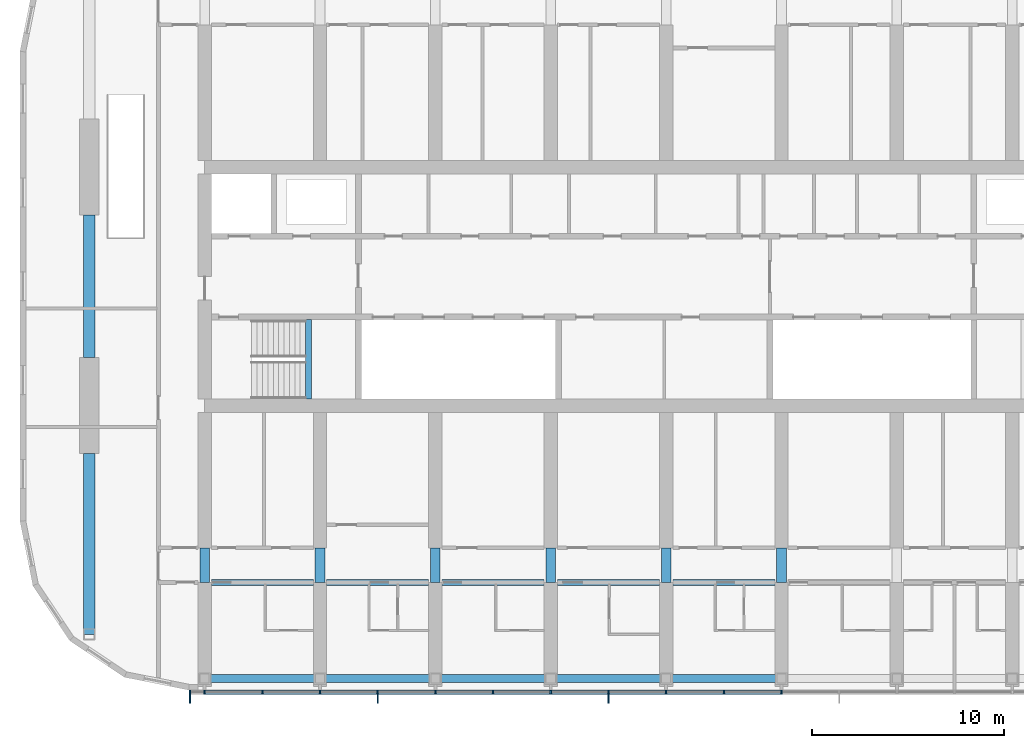
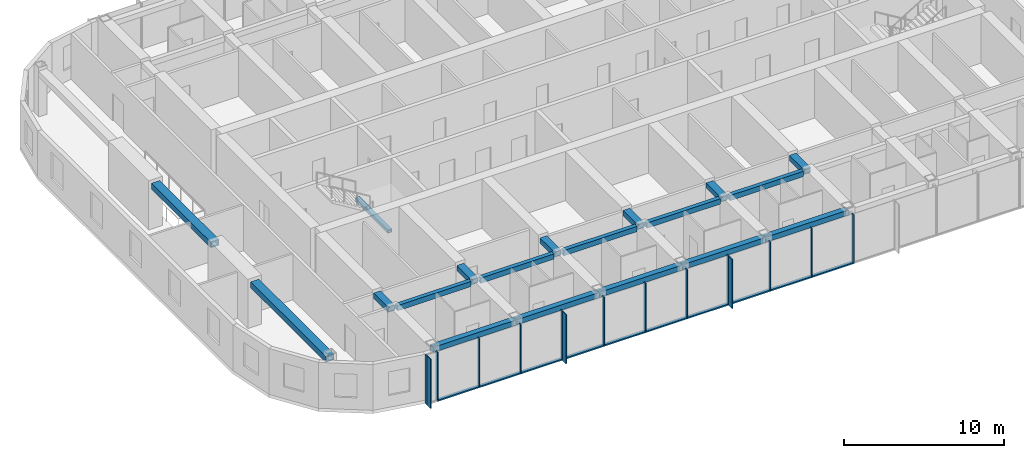
# One storey, part 2 of 23: 25 members, 19 beams, 1 element without a shape of its own.
"""IFC4 building model written with IfcOpenShell, lengths in metres."""

from ifc_helpers import new_model, si_unit, direction, frame, origin, origin_2d, place, context, subcontext, project, spatial, rectangle, hollow_rectangle, extrude, material, material_profile, profile_set, type_object, element, aggregate, save


model = new_model("IFC4")

# Units and contexts
model_context = context("Model", 3, precision=1e-05, world=origin(), true_north=direction((0.0, 1.0)))
body_context = subcontext(model_context, "Body", "Model", "MODEL_VIEW")
ifc_project = project(units=[si_unit("LENGTHUNIT", "METRE"), si_unit("AREAUNIT", "SQUARE_METRE"), si_unit("VOLUMEUNIT", "CUBIC_METRE"), si_unit("PLANEANGLEUNIT", "RADIAN"), si_unit("MASSUNIT", "GRAM", prefix="KILO")], contexts=[model_context])

# Site, building, storey
site_placement = place(None, origin())
site = spatial("IfcSite", under=ifc_project, at=site_placement, CompositionType="ELEMENT")
building_placement = place(site_placement, origin())
building = spatial("IfcBuilding", under=site, at=building_placement, Name="Orbita Commons", CompositionType="ELEMENT")
storey_placement = place(building_placement, frame((0.0, 0.0, 220.300048828125)))
storey = spatial("IfcBuildingStorey", under=building, at=storey_placement, Name="L54", CompositionType="ELEMENT", Elevation=220.300048828125)

# Curtain wall, members
ifc_material_1 = material(Name="Anodised aluminium frame, pale silver", Category="aluminium")
curtain_wall_type = type_object("IfcCurtainWallType", Name="Unitised curtain wall CW-U, full-height vision", PredefinedType="NOTDEFINED", material=ifc_material_1)
curtain_wall_placement = place(storey_placement, origin())
curtain_wall = element("IfcCurtainWall", 1, at=curtain_wall_placement, inside=storey, type_object=curtain_wall_type, Name="Curtain wall south L54", PredefinedType="NOTDEFINED")
ifc_material_2 = material(Name="Anodised aluminium, pale silver", Category="aluminium")
ifc_material_profile_1 = material_profile(ifc_material_2, rectangle(XDim=0.080078125, YDim=0.219970703125, at=origin_2d()), Name="AL 80x220")
ifc_profile_set_1 = profile_set([ifc_material_profile_1], Name="Anodised aluminium, pale silver")
member_type_1 = type_object("IfcMemberType", Name="Curtain wall mullion 80x220", PredefinedType="MULLION", material=ifc_profile_set_1)
member_1_placement = place(storey_placement, frame((17.239990234375, 10.889892578125, -0.25), z_axis=(0.0, 0.0, 1.0), x_axis=(1.0, 0.0, 0.0)))
member_1 = element("IfcMember", 2, at=member_1_placement, type_object=member_type_1, Name="Mullion 1 CW-L54-S", PredefinedType="MULLION", context=body_context, shape_type="SweptSolid", body=[
    extrude(rectangle(XDim=0.080078125, YDim=0.219970703125, at=origin_2d()), origin(), (0.0, 0.0, 1.0), 3.75),
])
member_2_placement = place(storey_placement, frame((18.0, 10.889892578125, -0.25), z_axis=(0.0, 0.0, 1.0), x_axis=(1.0, 0.0, 0.0)))
member_2 = element("IfcMember", 3, at=member_2_placement, type_object=member_type_1, Name="Mullion 2 CW-L54-S", PredefinedType="MULLION", context=body_context, shape_type="SweptSolid", body=[
    extrude(rectangle(XDim=0.080078125, YDim=0.219970703125, at=origin_2d()), origin(), (0.0, 0.0, 1.0), 3.75),
])
member_3_placement = place(storey_placement, frame((21.0, 10.889892578125, -0.25), z_axis=(0.0, 0.0, 1.0), x_axis=(1.0, 0.0, 0.0)))
member_3 = element("IfcMember", 4, at=member_3_placement, type_object=member_type_1, Name="Mullion 3 CW-L54-S", PredefinedType="MULLION", context=body_context, shape_type="SweptSolid", body=[
    extrude(rectangle(XDim=0.080078125, YDim=0.219970703125, at=origin_2d()), origin(), (0.0, 0.0, 1.0), 3.75),
])
member_4_placement = place(storey_placement, frame((24.0, 10.889892578125, -0.25), z_axis=(0.0, 0.0, 1.0), x_axis=(1.0, 0.0, 0.0)))
member_4 = element("IfcMember", 5, at=member_4_placement, type_object=member_type_1, Name="Mullion 4 CW-L54-S", PredefinedType="MULLION", context=body_context, shape_type="SweptSolid", body=[
    extrude(rectangle(XDim=0.080078125, YDim=0.219970703125, at=origin_2d()), origin(), (0.0, 0.0, 1.0), 3.75),
])
member_5_placement = place(storey_placement, frame((27.0, 10.889892578125, -0.25), z_axis=(0.0, 0.0, 1.0), x_axis=(1.0, 0.0, 0.0)))
member_5 = element("IfcMember", 6, at=member_5_placement, type_object=member_type_1, Name="Mullion 5 CW-L54-S", PredefinedType="MULLION", context=body_context, shape_type="SweptSolid", body=[
    extrude(rectangle(XDim=0.080078125, YDim=0.219970703125, at=origin_2d()), origin(), (0.0, 0.0, 1.0), 3.75),
])
member_6_placement = place(storey_placement, frame((30.0, 10.889892578125, -0.25), z_axis=(0.0, 0.0, 1.0), x_axis=(1.0, 0.0, 0.0)))
member_6 = element("IfcMember", 7, at=member_6_placement, type_object=member_type_1, Name="Mullion 6 CW-L54-S", PredefinedType="MULLION", context=body_context, shape_type="SweptSolid", body=[
    extrude(rectangle(XDim=0.080078125, YDim=0.219970703125, at=origin_2d()), origin(), (0.0, 0.0, 1.0), 3.75),
])
member_7_placement = place(storey_placement, frame((33.0, 10.889892578125, -0.25), z_axis=(0.0, 0.0, 1.0), x_axis=(1.0, 0.0, 0.0)))
member_7 = element("IfcMember", 8, at=member_7_placement, type_object=member_type_1, Name="Mullion 7 CW-L54-S", PredefinedType="MULLION", context=body_context, shape_type="SweptSolid", body=[
    extrude(rectangle(XDim=0.080078125, YDim=0.219970703125, at=origin_2d()), origin(), (0.0, 0.0, 1.0), 3.75),
])
member_8_placement = place(storey_placement, frame((36.0, 10.889892578125, -0.25), z_axis=(0.0, 0.0, 1.0), x_axis=(1.0, 0.0, 0.0)))
member_8 = element("IfcMember", 9, at=member_8_placement, type_object=member_type_1, Name="Mullion 8 CW-L54-S", PredefinedType="MULLION", context=body_context, shape_type="SweptSolid", body=[
    extrude(rectangle(XDim=0.080078125, YDim=0.219970703125, at=origin_2d()), origin(), (0.0, 0.0, 1.0), 3.75),
])
member_9_placement = place(storey_placement, frame((39.0, 10.889892578125, -0.25), z_axis=(0.0, 0.0, 1.0), x_axis=(1.0, 0.0, 0.0)))
member_9 = element("IfcMember", 10, at=member_9_placement, type_object=member_type_1, Name="Mullion 9 CW-L54-S", PredefinedType="MULLION", context=body_context, shape_type="SweptSolid", body=[
    extrude(rectangle(XDim=0.080078125, YDim=0.219970703125, at=origin_2d()), origin(), (0.0, 0.0, 1.0), 3.75),
])
member_10_placement = place(storey_placement, frame((42.0, 10.889892578125, -0.25), z_axis=(0.0, 0.0, 1.0), x_axis=(1.0, 0.0, 0.0)))
member_10 = element("IfcMember", 11, at=member_10_placement, type_object=member_type_1, Name="Mullion 10 CW-L54-S", PredefinedType="MULLION", context=body_context, shape_type="SweptSolid", body=[
    extrude(rectangle(XDim=0.080078125, YDim=0.219970703125, at=origin_2d()), origin(), (0.0, 0.0, 1.0), 3.75),
])
member_11_placement = place(storey_placement, frame((45.0, 10.889892578125, -0.25), z_axis=(0.0, 0.0, 1.0), x_axis=(1.0, 0.0, 0.0)))
member_11 = element("IfcMember", 12, at=member_11_placement, type_object=member_type_1, Name="Mullion 11 CW-L54-S", PredefinedType="MULLION", context=body_context, shape_type="SweptSolid", body=[
    extrude(rectangle(XDim=0.080078125, YDim=0.219970703125, at=origin_2d()), origin(), (0.0, 0.0, 1.0), 3.75),
])
member_12_placement = place(storey_placement, frame((48.0, 10.889892578125, -0.25), z_axis=(0.0, 0.0, 1.0), x_axis=(1.0, 0.0, 0.0)))
member_12 = element("IfcMember", 13, at=member_12_placement, type_object=member_type_1, Name="Mullion 12 CW-L54-S", PredefinedType="MULLION", context=body_context, shape_type="SweptSolid", body=[
    extrude(rectangle(XDim=0.080078125, YDim=0.219970703125, at=origin_2d()), origin(), (0.0, 0.0, 1.0), 3.75),
])
ifc_material_3 = material(Name="Anodised aluminium, pale silver", Category="aluminium")
ifc_material_profile_2 = material_profile(ifc_material_3, rectangle(XDim=0.219970703125, YDim=0.10009765625, at=origin_2d()), Name="AL 220x100")
ifc_profile_set_2 = profile_set([ifc_material_profile_2], Name="Anodised aluminium, pale silver")
member_type_2 = type_object("IfcMemberType", Name="Curtain wall stack transom 220x100", PredefinedType="USERDEFINED", material=ifc_profile_set_2)
member_13_placement = place(storey_placement, frame((18.0400390625, 10.889892578125, -0.199951171875), z_axis=(1.0, 0.0, 0.0), x_axis=(0.0, 1.0, 0.0)))
member_13 = element("IfcMember", 14, at=member_13_placement, type_object=member_type_2, Name="Transom 2.1 CW-L54-S", ObjectType="TRANSOM", PredefinedType="USERDEFINED", context=body_context, shape_type="SweptSolid", body=[
    extrude(rectangle(XDim=0.219970703125, YDim=0.10009765625, at=origin_2d()), origin(), (0.0, 0.0, 1.0), 2.919921875),
])
member_14_placement = place(storey_placement, frame((21.0400390625, 10.889892578125, -0.199951171875), z_axis=(1.0, 0.0, 0.0), x_axis=(0.0, 1.0, 0.0)))
member_14 = element("IfcMember", 15, at=member_14_placement, type_object=member_type_2, Name="Transom 3.1 CW-L54-S", ObjectType="TRANSOM", PredefinedType="USERDEFINED", context=body_context, shape_type="SweptSolid", body=[
    extrude(rectangle(XDim=0.219970703125, YDim=0.10009765625, at=origin_2d()), origin(), (0.0, 0.0, 1.0), 2.919921875),
])
member_15_placement = place(storey_placement, frame((24.0400390625, 10.889892578125, -0.199951171875), z_axis=(1.0, 0.0, 0.0), x_axis=(0.0, 1.0, 0.0)))
member_15 = element("IfcMember", 16, at=member_15_placement, type_object=member_type_2, Name="Transom 4.1 CW-L54-S", ObjectType="TRANSOM", PredefinedType="USERDEFINED", context=body_context, shape_type="SweptSolid", body=[
    extrude(rectangle(XDim=0.219970703125, YDim=0.10009765625, at=origin_2d()), origin(), (0.0, 0.0, 1.0), 2.919921875),
])
member_16_placement = place(storey_placement, frame((27.0400390625, 10.889892578125, -0.199951171875), z_axis=(1.0, 0.0, 0.0), x_axis=(0.0, 1.0, 0.0)))
member_16 = element("IfcMember", 17, at=member_16_placement, type_object=member_type_2, Name="Transom 5.1 CW-L54-S", ObjectType="TRANSOM", PredefinedType="USERDEFINED", context=body_context, shape_type="SweptSolid", body=[
    extrude(rectangle(XDim=0.219970703125, YDim=0.10009765625, at=origin_2d()), origin(), (0.0, 0.0, 1.0), 2.919921875),
])
member_17_placement = place(storey_placement, frame((30.0400390625, 10.889892578125, -0.199951171875), z_axis=(1.0, 0.0, 0.0), x_axis=(0.0, 1.0, 0.0)))
member_17 = element("IfcMember", 18, at=member_17_placement, type_object=member_type_2, Name="Transom 6.1 CW-L54-S", ObjectType="TRANSOM", PredefinedType="USERDEFINED", context=body_context, shape_type="SweptSolid", body=[
    extrude(rectangle(XDim=0.219970703125, YDim=0.10009765625, at=origin_2d()), origin(), (0.0, 0.0, 1.0), 2.919921875),
])
member_18_placement = place(storey_placement, frame((33.0400390625, 10.889892578125, -0.199951171875), z_axis=(1.0, 0.0, 0.0), x_axis=(0.0, 1.0, 0.0)))
member_18 = element("IfcMember", 19, at=member_18_placement, type_object=member_type_2, Name="Transom 7.1 CW-L54-S", ObjectType="TRANSOM", PredefinedType="USERDEFINED", context=body_context, shape_type="SweptSolid", body=[
    extrude(rectangle(XDim=0.219970703125, YDim=0.10009765625, at=origin_2d()), origin(), (0.0, 0.0, 1.0), 2.919921875),
])
member_19_placement = place(storey_placement, frame((36.0400390625, 10.889892578125, -0.199951171875), z_axis=(1.0, 0.0, 0.0), x_axis=(0.0, 1.0, 0.0)))
member_19 = element("IfcMember", 20, at=member_19_placement, type_object=member_type_2, Name="Transom 8.1 CW-L54-S", ObjectType="TRANSOM", PredefinedType="USERDEFINED", context=body_context, shape_type="SweptSolid", body=[
    extrude(rectangle(XDim=0.219970703125, YDim=0.10009765625, at=origin_2d()), origin(), (0.0, 0.0, 1.0), 2.919921875),
])
member_20_placement = place(storey_placement, frame((39.0400390625, 10.889892578125, -0.199951171875), z_axis=(1.0, 0.0, 0.0), x_axis=(0.0, 1.0, 0.0)))
member_20 = element("IfcMember", 21, at=member_20_placement, type_object=member_type_2, Name="Transom 9.1 CW-L54-S", ObjectType="TRANSOM", PredefinedType="USERDEFINED", context=body_context, shape_type="SweptSolid", body=[
    extrude(rectangle(XDim=0.219970703125, YDim=0.10009765625, at=origin_2d()), origin(), (0.0, 0.0, 1.0), 2.919921875),
])
member_21_placement = place(storey_placement, frame((42.0400390625, 10.889892578125, -0.199951171875), z_axis=(1.0, 0.0, 0.0), x_axis=(0.0, 1.0, 0.0)))
member_21 = element("IfcMember", 22, at=member_21_placement, type_object=member_type_2, Name="Transom 10.1 CW-L54-S", ObjectType="TRANSOM", PredefinedType="USERDEFINED", context=body_context, shape_type="SweptSolid", body=[
    extrude(rectangle(XDim=0.219970703125, YDim=0.10009765625, at=origin_2d()), origin(), (0.0, 0.0, 1.0), 2.919921875),
])
member_22_placement = place(storey_placement, frame((45.0400390625, 10.889892578125, -0.199951171875), z_axis=(1.0, 0.0, 0.0), x_axis=(0.0, 1.0, 0.0)))
member_22 = element("IfcMember", 23, at=member_22_placement, type_object=member_type_2, Name="Transom 11.1 CW-L54-S", ObjectType="TRANSOM", PredefinedType="USERDEFINED", context=body_context, shape_type="SweptSolid", body=[
    extrude(rectangle(XDim=0.219970703125, YDim=0.10009765625, at=origin_2d()), origin(), (0.0, 0.0, 1.0), 2.919921875),
])

# Beams
ifc_material_4 = material(Name="Steel ASTM A572 Gr 50 welded plate", Category="steel")
ifc_material_profile_3 = material_profile(ifc_material_4, hollow_rectangle(XDim=0.300048828125, YDim=0.25, WallThickness=0.02490234375, at=origin_2d()), Name="BOX 250x300x25")
ifc_profile_set_3 = profile_set([ifc_material_profile_3], Name="Steel ASTM A572 Gr 50 welded plate")
beam_type_1 = type_object("IfcBeamType", Name="Stair landing beam steel BOX 250x300x25", PredefinedType="BEAM", material=ifc_profile_set_3)
beam_1_placement = place(storey_placement, frame((23.39990234375, 26.135009765625, 1.550048828125), z_axis=(0.0, 1.0, 0.0), x_axis=(-1.0, 0.0, 0.0)))
element("IfcBeam", 24, at=beam_1_placement, inside=storey, type_object=beam_type_1, Name="Stair S1 landing beam L54 1", PredefinedType="BEAM", context=body_context, shape_type="SweptSolid", body=[
    extrude(hollow_rectangle(XDim=0.300048828125, YDim=0.25, WallThickness=0.02490234375, at=origin_2d()), origin(), (0.0, 0.0, 1.0), 4.1298828125),
])
ifc_material_5 = material(Name="Steel ASTM A572 Gr 50 welded plate", Category="steel")
ifc_material_profile_4 = material_profile(ifc_material_5, hollow_rectangle(XDim=0.300048828125, YDim=0.39990234375, WallThickness=0.0400390625, at=origin_2d()), Name="BOX 400x300x40")
ifc_profile_set_4 = profile_set([ifc_material_profile_4], Name="Steel ASTM A572 Gr 50 welded plate")
beam_type_2 = type_object("IfcBeamType", Name="Steel corridor link BOX 400x300x40", PredefinedType="BEAM", material=ifc_profile_set_4)
for number, where, z_axis, x_axis, name in (
    (25, (18.35009765625, 16.60009765625, 3.300048828125), (1.0, 0.0, 0.0), (0.0, 1.0, 0.0), "Corridor beam SA 4-5 L54"),
    (26, (24.35009765625, 16.60009765625, 3.300048828125), (1.0, 0.0, 0.0), (0.0, 1.0, 0.0), "Corridor beam SA 5-6 L54"),
    (27, (30.35009765625, 16.60009765625, 3.300048828125), (1.0, 0.0, 0.0), (0.0, 1.0, 0.0), "Corridor beam SA 6-7 L54"),
    (28, (36.35009765625, 16.60009765625, 3.300048828125), (1.0, 0.0, 0.0), (0.0, 1.0, 0.0), "Corridor beam SA 7-8 L54"),
    (29, (42.35009765625, 16.60009765625, 3.300048828125), (1.0, 0.0, 0.0), (0.0, 1.0, 0.0), "Corridor beam SA 8-9 L54"),
):
    element("IfcBeam", number, at=place(storey_placement, frame(where, z_axis=z_axis, x_axis=x_axis)), inside=storey, type_object=beam_type_2, Name=name, PredefinedType="BEAM", context=body_context, shape_type="SweptSolid", body=[
        extrude(hollow_rectangle(XDim=0.300048828125, YDim=0.39990234375, WallThickness=0.0400390625, at=origin_2d()), origin(), (0.0, 0.0, 1.0), 5.2998046875),
    ])
ifc_material_6 = material(Name="Steel ASTM A572 Gr 50 welded plate", Category="steel")
ifc_material_profile_5 = material_profile(ifc_material_6, hollow_rectangle(XDim=0.5, YDim=0.39990234375, WallThickness=0.050048828125, at=origin_2d()), Name="BOX 400x500x50")
ifc_profile_set_5 = profile_set([ifc_material_profile_5], Name="Steel ASTM A572 Gr 50 welded plate")
beam_type_3 = type_object("IfcBeamType", Name="Steel coupling link BOX 400x500x50", PredefinedType="LINTEL", material=ifc_profile_set_5)
for number, where, z_axis, x_axis, name in (
    (30, (18.0, 16.60009765625, 3.300048828125), (0.0, 1.0, 0.0), (-1.0, 0.0, 0.0), "Coupling beam 4 south L54"),
    (31, (24.0, 16.60009765625, 3.300048828125), (0.0, 1.0, 0.0), (-1.0, 0.0, 0.0), "Coupling beam 5 south L54"),
    (32, (30.0, 16.60009765625, 3.300048828125), (0.0, 1.0, 0.0), (-1.0, 0.0, 0.0), "Coupling beam 6 south L54"),
    (33, (36.0, 16.60009765625, 3.300048828125), (0.0, 1.0, 0.0), (-1.0, 0.0, 0.0), "Coupling beam 7 south L54"),
    (34, (42.0, 16.60009765625, 3.300048828125), (0.0, 1.0, 0.0), (-1.0, 0.0, 0.0), "Coupling beam 8 south L54"),
    (35, (48.0, 16.60009765625, 3.300048828125), (0.0, 1.0, 0.0), (-1.0, 0.0, 0.0), "Coupling beam 9 south L54"),
):
    element("IfcBeam", number, at=place(storey_placement, frame(where, z_axis=z_axis, x_axis=x_axis)), inside=storey, type_object=beam_type_3, Name=name, PredefinedType="LINTEL", context=body_context, shape_type="SweptSolid", body=[
        extrude(hollow_rectangle(XDim=0.5, YDim=0.39990234375, WallThickness=0.050048828125, at=origin_2d()), origin(), (0.0, 0.0, 1.0), 1.7998046875),
    ])
ifc_material_7 = material(Name="Steel ASTM A572 Gr 50 welded plate", Category="steel")
ifc_material_profile_6 = material_profile(ifc_material_7, hollow_rectangle(XDim=0.60009765625, YDim=0.449951171875, WallThickness=0.06005859375, at=origin_2d()), Name="BOX 450x600x60")
ifc_profile_set_6 = profile_set([ifc_material_profile_6], Name="Steel ASTM A572 Gr 50 welded plate")
beam_type_4 = type_object("IfcBeamType", Name="Steel end frame link BOX 450x600x60", PredefinedType="BEAM", material=ifc_profile_set_6)
beam_2_placement = place(storey_placement, frame((12.0, 13.89990234375, 3.27490234375), z_axis=(0.0, 1.0, 0.0), x_axis=(-1.0, 0.0, 0.0)))
element("IfcBeam", 36, at=beam_2_placement, inside=storey, type_object=beam_type_4, Name="End frame beam 3 B-C L54", PredefinedType="BEAM", context=body_context, shape_type="SweptSolid", body=[
    extrude(hollow_rectangle(XDim=0.60009765625, YDim=0.449951171875, WallThickness=0.06005859375, at=origin_2d()), origin(), (0.0, 0.0, 1.0), 9.400146484375),
])
beam_3_placement = place(storey_placement, frame((12.0, 28.300048828125, 3.27490234375), z_axis=(0.0, 1.0, 0.0), x_axis=(-1.0, 0.0, 0.0)))
element("IfcBeam", 37, at=beam_3_placement, inside=storey, type_object=beam_type_4, Name="End frame beam 3 C-D L54", PredefinedType="BEAM", context=body_context, shape_type="SweptSolid", body=[
    extrude(hollow_rectangle(XDim=0.60009765625, YDim=0.449951171875, WallThickness=0.06005859375, at=origin_2d()), origin(), (0.0, 0.0, 1.0), 7.39990234375),
])
ifc_material_8 = material(Name="Steel ASTM A572 Gr 50 welded plate", Category="steel")
ifc_material_profile_7 = material_profile(ifc_material_8, hollow_rectangle(XDim=0.39990234375, YDim=0.39990234375, WallThickness=0.0400390625, at=origin_2d()), Name="BOX 400x400x40")
ifc_profile_set_7 = profile_set([ifc_material_profile_7], Name="Steel ASTM A572 Gr 50 welded plate")
beam_type_5 = type_object("IfcBeamType", Name="Steel spandrel BOX 400x400x40", PredefinedType="SPANDREL", material=ifc_profile_set_7)
for number, where, z_axis, x_axis, name in (
    (38, (18.0, 11.60009765625, 3.300048828125), (1.0, 0.0, 0.0), (0.0, 1.0, 0.0), "Spandrel beam B 4-5 L54"),
    (39, (24.0, 11.60009765625, 3.300048828125), (1.0, 0.0, 0.0), (0.0, 1.0, 0.0), "Spandrel beam B 5-6 L54"),
    (40, (30.0, 11.60009765625, 3.300048828125), (1.0, 0.0, 0.0), (0.0, 1.0, 0.0), "Spandrel beam B 6-7 L54"),
    (41, (36.0, 11.60009765625, 3.300048828125), (1.0, 0.0, 0.0), (0.0, 1.0, 0.0), "Spandrel beam B 7-8 L54"),
    (42, (42.0, 11.60009765625, 3.300048828125), (1.0, 0.0, 0.0), (0.0, 1.0, 0.0), "Spandrel beam B 8-9 L54"),
):
    element("IfcBeam", number, at=place(storey_placement, frame(where, z_axis=z_axis, x_axis=x_axis)), inside=storey, type_object=beam_type_5, Name=name, PredefinedType="SPANDREL", context=body_context, shape_type="SweptSolid", body=[
        extrude(hollow_rectangle(XDim=0.39990234375, YDim=0.39990234375, WallThickness=0.0400390625, at=origin_2d()), origin(), (0.0, 0.0, 1.0), 6.0),
    ])

# Member
ifc_material_9 = material(Name="Anodised aluminium, pale silver", Category="aluminium")
ifc_material_profile_8 = material_profile(ifc_material_9, rectangle(XDim=0.06005859375, YDim=0.449951171875, at=origin_2d()), Name="FIN 60x450")
ifc_profile_set_8 = profile_set([ifc_material_profile_8], Name="Anodised aluminium, pale silver")
member_type_3 = type_object("IfcMemberType", Name="Vertical fin 60x450 pale aluminium", PredefinedType="USERDEFINED", material=ifc_profile_set_8)
member_23_placement = place(storey_placement, frame((17.239990234375, 10.554931640625, -0.25), z_axis=(0.0, 0.0, 1.0), x_axis=(1.0, 0.0, 0.0)))
member_23 = element("IfcMember", 43, at=member_23_placement, type_object=member_type_3, Name="Fin 1 CW-L54-S", ObjectType="FIN", PredefinedType="USERDEFINED", context=body_context, shape_type="SweptSolid", body=[
    extrude(rectangle(XDim=0.06005859375, YDim=0.449951171875, at=origin_2d()), origin(), (0.0, 0.0, 1.0), 3.75),
])

member_24_placement = place(storey_placement, frame((27.0, 10.554931640625, -0.25), z_axis=(0.0, 0.0, 1.0), x_axis=(1.0, 0.0, 0.0)))
member_24 = element("IfcMember", 44, at=member_24_placement, type_object=member_type_3, Name="Fin 5 CW-L54-S", ObjectType="FIN", PredefinedType="USERDEFINED", context=body_context, shape_type="SweptSolid", body=[
    extrude(rectangle(XDim=0.06005859375, YDim=0.449951171875, at=origin_2d()), origin(), (0.0, 0.0, 1.0), 3.75),
])

member_25_placement = place(storey_placement, frame((39.0, 10.554931640625, -0.25), z_axis=(0.0, 0.0, 1.0), x_axis=(1.0, 0.0, 0.0)))
member_25 = element("IfcMember", 45, at=member_25_placement, type_object=member_type_3, Name="Fin 9 CW-L54-S", ObjectType="FIN", PredefinedType="USERDEFINED", context=body_context, shape_type="SweptSolid", body=[
    extrude(rectangle(XDim=0.06005859375, YDim=0.449951171875, at=origin_2d()), origin(), (0.0, 0.0, 1.0), 3.75),
])

aggregate(curtain_wall, [member_1, member_23, member_2, member_3, member_4, member_5, member_24, member_6, member_7, member_8, member_9, member_25, member_10, member_11, member_12, member_13, member_14, member_15, member_16, member_17, member_18, member_19, member_20, member_21, member_22])

save(model, "model.ifc")
